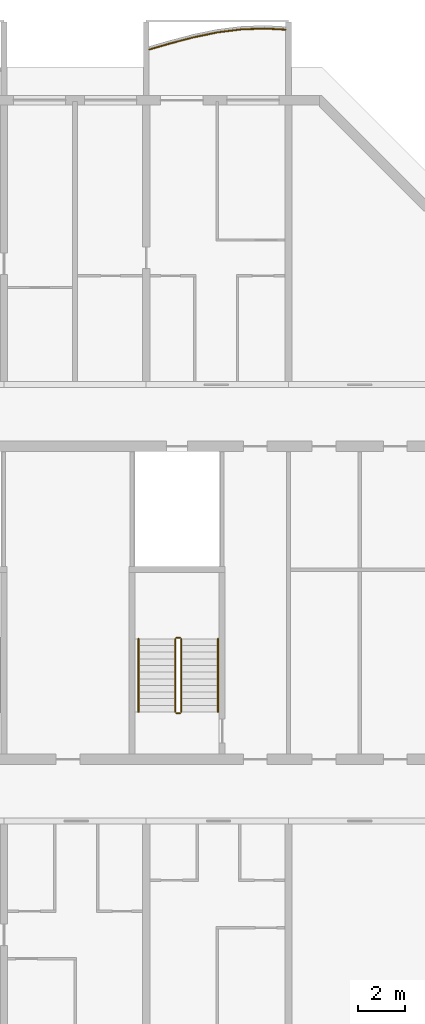
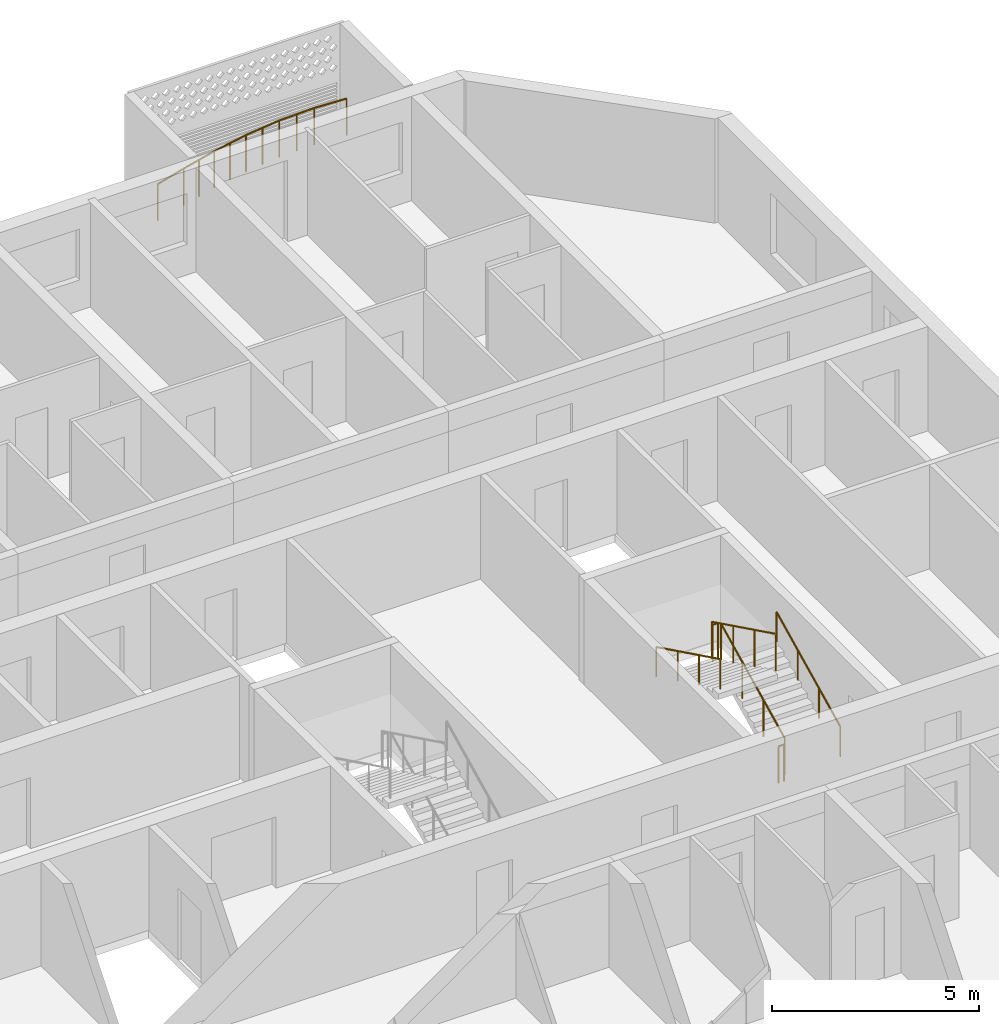
# One storey, part 31 of 32: 7 railings.
"""IFC4 building model written with IfcOpenShell, lengths in metres."""

from ifc_helpers import new_model, si_unit, direction, frame, origin, origin_2d, place, context, subcontext, project, spatial, circle, extrude, material, type_object, element, save


model = new_model("IFC4")

# Units and contexts
model_context = context("Model", 3, precision=1e-05, world=origin(), true_north=direction((0.0, 1.0)))
body_context = subcontext(model_context, "Body", "Model", "MODEL_VIEW")
ifc_project = project(units=[si_unit("LENGTHUNIT", "METRE"), si_unit("AREAUNIT", "SQUARE_METRE"), si_unit("VOLUMEUNIT", "CUBIC_METRE"), si_unit("PLANEANGLEUNIT", "RADIAN"), si_unit("MASSUNIT", "GRAM", prefix="KILO")], contexts=[model_context])

# Site, building, storey
site_placement = place(None, origin())
site = spatial("IfcSite", under=ifc_project, at=site_placement, CompositionType="ELEMENT")
building_placement = place(site_placement, origin())
building = spatial("IfcBuilding", under=site, at=building_placement, Name="Poui Terraces", CompositionType="ELEMENT")
storey_placement = place(building_placement, frame((0.0, 0.0, 122.39990234375)))
storey = spatial("IfcBuildingStorey", under=building, at=storey_placement, Name="L33", CompositionType="ELEMENT", Elevation=122.39990234375)

# Railings
ifc_material_1 = material(Name="Painted steel fretwork", Category="steel")
railing_type_1 = type_object("IfcRailingType", Name="BALCONY GUARD 1100", PredefinedType="GUARDRAIL", material=ifc_material_1)
railing_1_placement = place(storey_placement, frame((78.125, 44.5322265625, 0.0)))
element("IfcRailing", 1, at=railing_1_placement, inside=storey, type_object=railing_type_1, Name="BALCONY GUARD", PredefinedType="GUARDRAIL", context=body_context, shape_type="SweptSolid", body=[
    extrude(circle(Radius=0.02392578125, at=origin_2d()), frame((0.0, 0.0, 1.076171875), z_axis=(0.959879926868, 0.280411351404, 0.0), x_axis=(-0.280411351404, 0.959879926868, 0.0)), (0.0, 0.0, 1.0), 0.91162109375),
    extrude(circle(Radius=0.02392578125, at=origin_2d()), frame((0.875, 0.255615234375, 1.076171875), z_axis=(0.967126511287, 0.25429571598, 0.0), x_axis=(-0.25429571598, 0.967126511287, 0.0)), (0.0, 0.0, 1.0), 1.033935546875),
    extrude(circle(Radius=0.02392578125, at=origin_2d()), frame((1.875, 0.5185546875, 1.076171875), z_axis=(0.979518122884, 0.201356020378, 0.0), x_axis=(-0.201356020378, 0.979518122884, 0.0)), (0.0, 0.0, 1.0), 1.02099609375),
    extrude(circle(Radius=0.02392578125, at=origin_2d()), frame((2.875, 0.72412109375, 1.076171875), z_axis=(0.992007284566, 0.126180614077, 0.0), x_axis=(-0.126180614077, 0.992007284566, 0.0)), (0.0, 0.0, 1.0), 1.008056640625),
    extrude(circle(Radius=0.02392578125, at=origin_2d()), frame((3.875, 0.851318359375, 1.076171875), z_axis=(0.999365338401, 0.035621909035, 0.0), x_axis=(-0.035621909035, 0.999365338401, 0.0)), (0.0, 0.0, 1.0), 1.000732421875),
    extrude(circle(Radius=0.02392578125, at=origin_2d()), frame((4.875, 0.886962890625, 1.076171875), z_axis=(0.99856813227, -0.053494721372, 0.0), x_axis=(0.053494721372, 0.99856813227, 0.0)), (0.0, 0.0, 1.0), 0.876220703125),
    extrude(circle(Radius=0.02099609375, at=origin_2d()), origin(), (0.0, 0.0, 1.0), 1.052001953125),
    extrude(circle(Radius=0.02099609375, at=origin_2d()), frame((0.875, 0.255615234375, 0.0)), (0.0, 0.0, 1.0), 1.052001953125),
    extrude(circle(Radius=0.02099609375, at=origin_2d()), frame((1.375, 0.38720703125, 0.0)), (0.0, 0.0, 1.0), 1.052001953125),
    extrude(circle(Radius=0.02099609375, at=origin_2d()), frame((1.875, 0.5185546875, 0.0)), (0.0, 0.0, 1.0), 1.052001953125),
    extrude(circle(Radius=0.02099609375, at=origin_2d()), frame((2.375, 0.621337890625, 0.0)), (0.0, 0.0, 1.0), 1.052001953125),
    extrude(circle(Radius=0.02099609375, at=origin_2d()), frame((2.875, 0.72412109375, 0.0)), (0.0, 0.0, 1.0), 1.052001953125),
    extrude(circle(Radius=0.02099609375, at=origin_2d()), frame((3.375, 0.78759765625, 0.0)), (0.0, 0.0, 1.0), 1.052001953125),
    extrude(circle(Radius=0.02099609375, at=origin_2d()), frame((3.875, 0.851318359375, 0.0)), (0.0, 0.0, 1.0), 1.052001953125),
    extrude(circle(Radius=0.02099609375, at=origin_2d()), frame((4.375, 0.869140625, 0.0)), (0.0, 0.0, 1.0), 1.052001953125),
    extrude(circle(Radius=0.02099609375, at=origin_2d()), frame((4.875, 0.886962890625, 0.0)), (0.0, 0.0, 1.0), 1.052001953125),
    extrude(circle(Radius=0.02099609375, at=origin_2d()), frame((5.75, 0.840087890625, 0.0)), (0.0, 0.0, 1.0), 1.052001953125),
])
ifc_material_2 = material(Name="Galvanised steel balustrade", Category="steel")
railing_type_2 = type_object("IfcRailingType", Name="STAIR GUARD 1100", PredefinedType="GUARDRAIL", material=ifc_material_2)
railing_2_placement = place(storey_placement, frame((79.47509765625, 16.60009765625, 0.1376953125)))
element("IfcRailing", 2, at=railing_2_placement, inside=storey, type_object=railing_type_2, Name="L33 ST-E stair guard 1", PredefinedType="GUARDRAIL", context=body_context, shape_type="SweptSolid", body=[
    extrude(circle(Radius=0.02392578125, at=origin_2d()), frame((0.0, 0.0, 1.076171875), z_axis=(0.0, 0.897606190399, 0.440798283751), x_axis=(-1.0, 0.0, 0.0)), (0.0, 0.0, 1.0), 3.43115234375),
    extrude(circle(Radius=0.02099609375, at=origin_2d()), origin(), (0.0, 0.0, 1.0), 1.052001953125),
    extrude(circle(Radius=0.02099609375, at=origin_2d()), frame((0.0, 1.026611328125, 0.504150390625)), (0.0, 0.0, 1.0), 1.052001953125),
    extrude(circle(Radius=0.02099609375, at=origin_2d()), frame((0.0, 2.05322265625, 1.00830078125)), (0.0, 0.0, 1.0), 1.052001953125),
    extrude(circle(Radius=0.02099609375, at=origin_2d()), frame((0.0, 3.079833984375, 1.512451171875)), (0.0, 0.0, 1.0), 1.052001953125),
])
railing_3_placement = place(storey_placement, frame((79.425048828125, 19.72998046875, 1.650146484375)))
element("IfcRailing", 3, at=railing_3_placement, inside=storey, type_object=railing_type_2, Name="L33 ST-E stair guard 2", PredefinedType="GUARDRAIL", context=body_context, shape_type="SweptSolid", body=[
    extrude(circle(Radius=0.02392578125, at=origin_2d()), frame((0.0, 0.0, 1.076171875), z_axis=(-1.0, 0.0, 0.0), x_axis=(0.0, -1.0, 0.0)), (0.0, 0.0, 1.0), 0.150146484375),
    extrude(circle(Radius=0.02099609375, at=origin_2d()), origin(), (0.0, 0.0, 1.0), 1.052001953125),
    extrude(circle(Radius=0.02099609375, at=origin_2d()), frame((-0.150146484375, 0.0, 0.0)), (0.0, 0.0, 1.0), 1.052001953125),
])
railing_4_placement = place(storey_placement, frame((79.22509765625, 19.679931640625, 1.78759765625)))
element("IfcRailing", 4, at=railing_4_placement, inside=storey, type_object=railing_type_2, Name="L33 ST-E stair guard 3", PredefinedType="GUARDRAIL", context=body_context, shape_type="SweptSolid", body=[
    extrude(circle(Radius=0.02392578125, at=origin_2d()), frame((0.0, 0.0, 1.076171875), z_axis=(0.0, -0.897606190399, 0.440798283751), x_axis=(1.0, 0.0, 0.0)), (0.0, 0.0, 1.0), 3.43115234375),
    extrude(circle(Radius=0.02099609375, at=origin_2d()), origin(), (0.0, 0.0, 1.0), 1.052001953125),
    extrude(circle(Radius=0.02099609375, at=origin_2d()), frame((0.0, -1.026611328125, 0.504150390625)), (0.0, 0.0, 1.0), 1.052001953125),
    extrude(circle(Radius=0.02099609375, at=origin_2d()), frame((0.0, -2.05322265625, 1.00830078125)), (0.0, 0.0, 1.0), 1.052001953125),
    extrude(circle(Radius=0.02099609375, at=origin_2d()), frame((0.0, -3.079833984375, 1.512451171875)), (0.0, 0.0, 1.0), 1.052001953125),
])
railing_5_placement = place(storey_placement, frame((79.425048828125, 16.550048828125, 0.0)))
element("IfcRailing", 5, at=railing_5_placement, inside=storey, type_object=railing_type_2, Name="L33 ST-E stair guard 4", PredefinedType="GUARDRAIL", context=body_context, shape_type="SweptSolid", body=[
    extrude(circle(Radius=0.02392578125, at=origin_2d()), frame((0.0, 0.0, 1.076171875), z_axis=(-1.0, 0.0, 0.0), x_axis=(0.0, -1.0, 0.0)), (0.0, 0.0, 1.0), 0.150146484375),
    extrude(circle(Radius=0.02099609375, at=origin_2d()), origin(), (0.0, 0.0, 1.0), 1.052001953125),
    extrude(circle(Radius=0.02099609375, at=origin_2d()), frame((-0.150146484375, 0.0, 0.0)), (0.0, 0.0, 1.0), 1.052001953125),
])
ifc_material_3 = material(Name="Stainless steel handrail", Category="steel")
railing_type_3 = type_object("IfcRailingType", Name="STAIR HANDRAIL 900", PredefinedType="HANDRAIL", material=ifc_material_3)
railing_6_placement = place(storey_placement, frame((81.02490234375, 16.60009765625, 0.1376953125)))
element("IfcRailing", 6, at=railing_6_placement, inside=storey, type_object=railing_type_3, Name="L33 ST-E stair handrail 1", PredefinedType="HANDRAIL", context=body_context, shape_type="SweptSolid", body=[
    extrude(circle(Radius=0.02392578125, at=origin_2d()), frame((0.0, 0.0, 0.8759765625), z_axis=(0.0, 0.897606190399, 0.440798283751), x_axis=(-1.0, 0.0, 0.0)), (0.0, 0.0, 1.0), 3.43115234375),
    extrude(circle(Radius=0.02099609375, at=origin_2d()), origin(), (0.0, 0.0, 1.0), 0.851806640625),
    extrude(circle(Radius=0.02099609375, at=origin_2d()), frame((0.0, 1.026611328125, 0.504150390625)), (0.0, 0.0, 1.0), 0.851806640625),
    extrude(circle(Radius=0.02099609375, at=origin_2d()), frame((0.0, 2.05322265625, 1.00830078125)), (0.0, 0.0, 1.0), 0.851806640625),
    extrude(circle(Radius=0.02099609375, at=origin_2d()), frame((0.0, 3.079833984375, 1.512451171875)), (0.0, 0.0, 1.0), 0.851806640625),
])
railing_7_placement = place(storey_placement, frame((77.675048828125, 19.679931640625, 1.78759765625)))
element("IfcRailing", 7, at=railing_7_placement, inside=storey, type_object=railing_type_3, Name="L33 ST-E stair handrail 2", PredefinedType="HANDRAIL", context=body_context, shape_type="SweptSolid", body=[
    extrude(circle(Radius=0.02392578125, at=origin_2d()), frame((0.0, 0.0, 0.8759765625), z_axis=(0.0, -0.897606190399, 0.440798283751), x_axis=(1.0, 0.0, 0.0)), (0.0, 0.0, 1.0), 3.43115234375),
    extrude(circle(Radius=0.02099609375, at=origin_2d()), origin(), (0.0, 0.0, 1.0), 0.851806640625),
    extrude(circle(Radius=0.02099609375, at=origin_2d()), frame((0.0, -1.026611328125, 0.504150390625)), (0.0, 0.0, 1.0), 0.851806640625),
    extrude(circle(Radius=0.02099609375, at=origin_2d()), frame((0.0, -2.05322265625, 1.00830078125)), (0.0, 0.0, 1.0), 0.851806640625),
    extrude(circle(Radius=0.02099609375, at=origin_2d()), frame((0.0, -3.079833984375, 1.512451171875)), (0.0, 0.0, 1.0), 0.851806640625),
])

save(model, "model.ifc")
